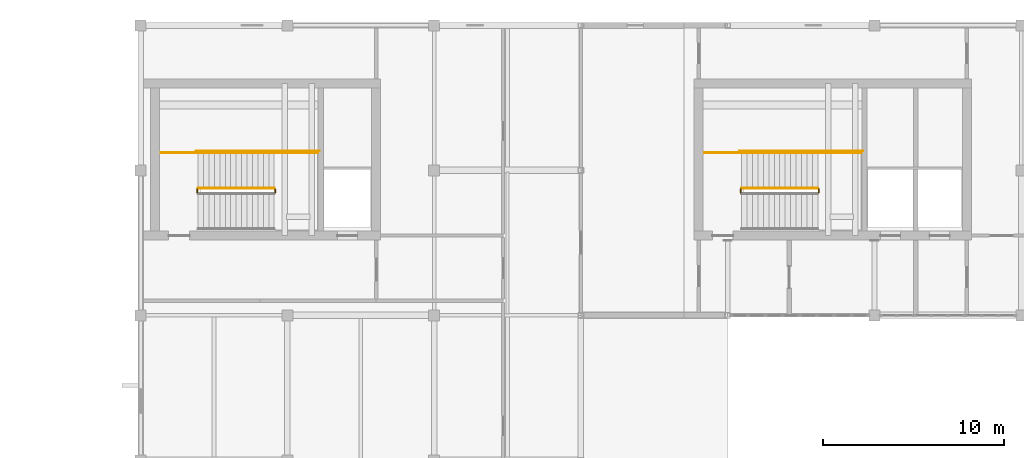
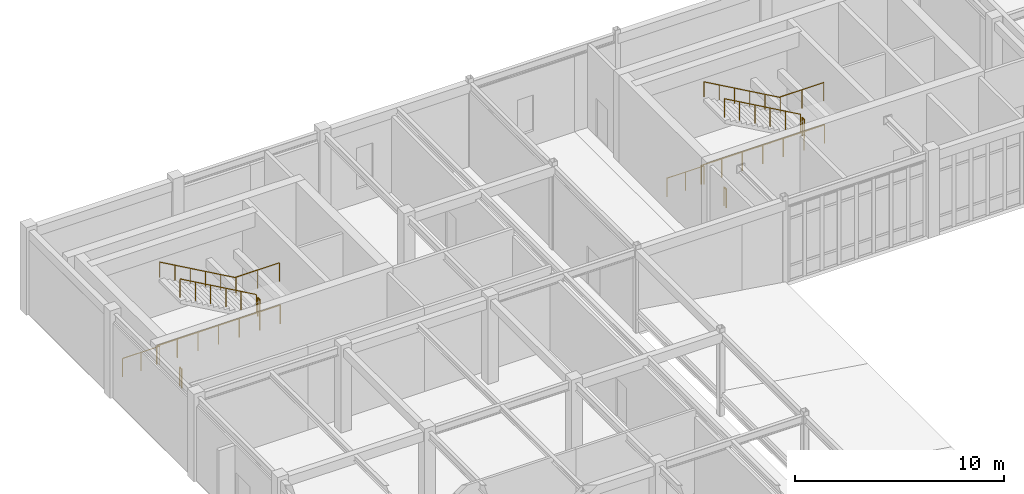
# One storey, part 69 of 70: 14 railings.
"""IFC4 building model written with IfcOpenShell, lengths in metres."""

from ifc_helpers import new_model, si_unit, direction, frame, origin, origin_2d, place, context, subcontext, project, spatial, circle, extrude, material, type_object, element, save


model = new_model("IFC4")

# Units and contexts
model_context = context("Model", 3, precision=1e-05, world=origin(), true_north=direction((0.0, 1.0)))
body_context = subcontext(model_context, "Body", "Model", "MODEL_VIEW")
ifc_project = project(units=[si_unit("LENGTHUNIT", "METRE"), si_unit("AREAUNIT", "SQUARE_METRE"), si_unit("VOLUMEUNIT", "CUBIC_METRE"), si_unit("PLANEANGLEUNIT", "RADIAN"), si_unit("MASSUNIT", "GRAM", prefix="KILO")], contexts=[model_context])

# Site, building, storey
site_placement = place(None, origin())
site = spatial("IfcSite", under=ifc_project, at=site_placement, CompositionType="ELEMENT")
building_placement = place(site_placement, origin())
building = spatial("IfcBuilding", under=site, at=building_placement, Name="Tarnveldt Square Police Headquarters", CompositionType="ELEMENT")
storey_placement = place(building_placement, frame((0.0, 0.0, 19.800048828125)))
storey = spatial("IfcBuildingStorey", under=building, at=storey_placement, Name="L04", CompositionType="ELEMENT", Elevation=19.800048828125)

# Railings
ifc_material = material(Name="Steel 350W", Category="steel")
railing_type_1 = type_object("IfcRailingType", Name="RL-GR-1100", PredefinedType="GUARDRAIL", material=ifc_material)
railing_1_placement = place(storey_placement, frame((23.6201171875, 102.77001953125, 2.550048828125)))
element("IfcRailing", 1, at=railing_1_placement, inside=storey, type_object=railing_type_1, Name="L04 ST2 stair guard 2", PredefinedType="GUARDRAIL", context=body_context, shape_type="SweptSolid", body=[
    extrude(circle(Radius=0.02392578125, at=origin_2d()), frame((0.0, 0.0, 1.076171875), z_axis=(0.0, 1.0, 0.0), x_axis=(-1.0, 0.0, 0.0)), (0.0, 0.0, 1.0), 0.199951171875),
    extrude(circle(Radius=0.02099609375, at=origin_2d()), origin(), (0.0, 0.0, 1.0), 1.052001953125),
    extrude(circle(Radius=0.02099609375, at=origin_2d()), frame((0.0, 0.199951171875, 0.0)), (0.0, 0.0, 1.0), 1.052001953125),
])
railing_2_placement = place(storey_placement, frame((23.570068359375, 104.969970703125, 2.550048828125)))
element("IfcRailing", 2, at=railing_2_placement, inside=storey, type_object=railing_type_1, Name="L04 ST2 stair guard 3", PredefinedType="GUARDRAIL", context=body_context, shape_type="SweptSolid", body=[
    extrude(circle(Radius=0.02392578125, at=origin_2d()), frame((0.0, 0.0, 1.076171875), z_axis=(1.0, 0.0, 0.0), x_axis=(0.0, 1.0, 0.0)), (0.0, 0.0, 1.0), 2.39990234375),
    extrude(circle(Radius=0.02099609375, at=origin_2d()), origin(), (0.0, 0.0, 1.0), 1.052001953125),
    extrude(circle(Radius=0.02099609375, at=origin_2d()), frame((1.199951171875, 0.0, 0.0)), (0.0, 0.0, 1.0), 1.052001953125),
    extrude(circle(Radius=0.02099609375, at=origin_2d()), frame((2.39990234375, 0.0, 0.0)), (0.0, 0.0, 1.0), 1.052001953125),
])
railing_3_placement = place(storey_placement, frame((23.570068359375, 103.02001953125, 2.719970703125)))
element("IfcRailing", 3, at=railing_3_placement, inside=storey, type_object=railing_type_1, Name="L04 ST2 stair guard 4", PredefinedType="GUARDRAIL", context=body_context, shape_type="SweptSolid", body=[
    extrude(circle(Radius=0.02392578125, at=origin_2d()), frame((0.0, 0.0, 1.076171875), z_axis=(-0.870030139814, 0.0, 0.492998535308), x_axis=(0.0, -1.0, 0.0)), (0.0, 0.0, 1.0), 4.827392578125),
    extrude(circle(Radius=0.02099609375, at=origin_2d()), origin(), (0.0, 0.0, 1.0), 1.052001953125),
    extrude(circle(Radius=0.02099609375, at=origin_2d()), frame((-0.840087890625, 0.0, 0.47607421875)), (0.0, 0.0, 1.0), 1.052001953125),
    extrude(circle(Radius=0.02099609375, at=origin_2d()), frame((-1.679931640625, 0.0, 0.951904296875)), (0.0, 0.0, 1.0), 1.052001953125),
    extrude(circle(Radius=0.02099609375, at=origin_2d()), frame((-2.52001953125, 0.0, 1.427978515625)), (0.0, 0.0, 1.0), 1.052001953125),
    extrude(circle(Radius=0.02099609375, at=origin_2d()), frame((-3.35986328125, 0.0, 1.90380859375)), (0.0, 0.0, 1.0), 1.052001953125),
    extrude(circle(Radius=0.02099609375, at=origin_2d()), frame((-4.199951171875, 0.0, 2.3798828125)), (0.0, 0.0, 1.0), 1.052001953125),
])
railing_4_placement = place(storey_placement, frame((19.320068359375, 102.77001953125, 0.0)))
element("IfcRailing", 4, at=railing_4_placement, inside=storey, type_object=railing_type_1, Name="L04 ST2 stair guard 5", PredefinedType="GUARDRAIL", context=body_context, shape_type="SweptSolid", body=[
    extrude(circle(Radius=0.02392578125, at=origin_2d()), frame((0.0, 0.0, 1.076171875), z_axis=(0.0, 1.0, 0.0), x_axis=(-1.0, 0.0, 0.0)), (0.0, 0.0, 1.0), 0.199951171875),
    extrude(circle(Radius=0.02099609375, at=origin_2d()), origin(), (0.0, 0.0, 1.0), 1.052001953125),
    extrude(circle(Radius=0.02099609375, at=origin_2d()), frame((0.0, 0.199951171875, 0.0)), (0.0, 0.0, 1.0), 1.052001953125),
])
railing_5_placement = place(storey_placement, frame((17.320068359375, 104.969970703125, 0.0)))
element("IfcRailing", 5, at=railing_5_placement, inside=storey, type_object=railing_type_1, Name="L04 ST2 stair guard 6", PredefinedType="GUARDRAIL", context=body_context, shape_type="SweptSolid", body=[
    extrude(circle(Radius=0.02392578125, at=origin_2d()), frame((0.0, 0.0, 1.076171875), z_axis=(1.0, 0.0, 0.0), x_axis=(0.0, 1.0, 0.0)), (0.0, 0.0, 1.0), 2.050048828125),
    extrude(circle(Radius=0.02099609375, at=origin_2d()), origin(), (0.0, 0.0, 1.0), 1.052001953125),
    extrude(circle(Radius=0.02099609375, at=origin_2d()), frame((1.02490234375, 0.0, 0.0)), (0.0, 0.0, 1.0), 1.052001953125),
    extrude(circle(Radius=0.02099609375, at=origin_2d()), frame((2.050048828125, 0.0, 0.0)), (0.0, 0.0, 1.0), 1.052001953125),
])
railing_6_placement = place(storey_placement, frame((19.27001953125, 105.070068359375, 0.0)))
element("IfcRailing", 6, at=railing_6_placement, inside=storey, type_object=railing_type_1, Name="L04 ST2 stair guard 7", PredefinedType="GUARDRAIL", context=body_context, shape_type="SweptSolid", body=[
    extrude(circle(Radius=0.02392578125, at=origin_2d()), frame((0.0, 0.0, 1.076171875), z_axis=(1.0, 0.0, 0.0), x_axis=(0.0, 1.0, 0.0)), (0.0, 0.0, 1.0), 6.800048828125),
    extrude(circle(Radius=0.02099609375, at=origin_2d()), origin(), (0.0, 0.0, 1.0), 1.052001953125),
    extrude(circle(Radius=0.02099609375, at=origin_2d()), frame((1.13330078125, 0.0, 0.0)), (0.0, 0.0, 1.0), 1.052001953125),
    extrude(circle(Radius=0.02099609375, at=origin_2d()), frame((2.2666015625, 0.0, 0.0)), (0.0, 0.0, 1.0), 1.052001953125),
    extrude(circle(Radius=0.02099609375, at=origin_2d()), frame((3.39990234375, 0.0, 0.0)), (0.0, 0.0, 1.0), 1.052001953125),
    extrude(circle(Radius=0.02099609375, at=origin_2d()), frame((4.533447265625, 0.0, 0.0)), (0.0, 0.0, 1.0), 1.052001953125),
    extrude(circle(Radius=0.02099609375, at=origin_2d()), frame((5.666748046875, 0.0, 0.0)), (0.0, 0.0, 1.0), 1.052001953125),
    extrude(circle(Radius=0.02099609375, at=origin_2d()), frame((6.800048828125, 0.0, 0.0)), (0.0, 0.0, 1.0), 1.052001953125),
])
railing_7_placement = place(storey_placement, frame((53.6201171875, 102.77001953125, 2.550048828125)))
element("IfcRailing", 7, at=railing_7_placement, inside=storey, type_object=railing_type_1, Name="L04 ST3 stair guard 2", PredefinedType="GUARDRAIL", context=body_context, shape_type="SweptSolid", body=[
    extrude(circle(Radius=0.02392578125, at=origin_2d()), frame((0.0, 0.0, 1.076171875), z_axis=(0.0, 1.0, 0.0), x_axis=(-1.0, 0.0, 0.0)), (0.0, 0.0, 1.0), 0.199951171875),
    extrude(circle(Radius=0.02099609375, at=origin_2d()), origin(), (0.0, 0.0, 1.0), 1.052001953125),
    extrude(circle(Radius=0.02099609375, at=origin_2d()), frame((0.0, 0.199951171875, 0.0)), (0.0, 0.0, 1.0), 1.052001953125),
])
railing_8_placement = place(storey_placement, frame((53.570068359375, 104.969970703125, 2.550048828125)))
element("IfcRailing", 8, at=railing_8_placement, inside=storey, type_object=railing_type_1, Name="L04 ST3 stair guard 3", PredefinedType="GUARDRAIL", context=body_context, shape_type="SweptSolid", body=[
    extrude(circle(Radius=0.02392578125, at=origin_2d()), frame((0.0, 0.0, 1.076171875), z_axis=(1.0, 0.0, 0.0), x_axis=(0.0, 1.0, 0.0)), (0.0, 0.0, 1.0), 2.39990234375),
    extrude(circle(Radius=0.02099609375, at=origin_2d()), origin(), (0.0, 0.0, 1.0), 1.052001953125),
    extrude(circle(Radius=0.02099609375, at=origin_2d()), frame((1.199951171875, 0.0, 0.0)), (0.0, 0.0, 1.0), 1.052001953125),
    extrude(circle(Radius=0.02099609375, at=origin_2d()), frame((2.39990234375, 0.0, 0.0)), (0.0, 0.0, 1.0), 1.052001953125),
])
railing_9_placement = place(storey_placement, frame((53.570068359375, 103.02001953125, 2.719970703125)))
element("IfcRailing", 9, at=railing_9_placement, inside=storey, type_object=railing_type_1, Name="L04 ST3 stair guard 4", PredefinedType="GUARDRAIL", context=body_context, shape_type="SweptSolid", body=[
    extrude(circle(Radius=0.02392578125, at=origin_2d()), frame((0.0, 0.0, 1.076171875), z_axis=(-0.870030139814, 0.0, 0.492998535308), x_axis=(0.0, -1.0, 0.0)), (0.0, 0.0, 1.0), 4.827392578125),
    extrude(circle(Radius=0.02099609375, at=origin_2d()), origin(), (0.0, 0.0, 1.0), 1.052001953125),
    extrude(circle(Radius=0.02099609375, at=origin_2d()), frame((-0.840087890625, 0.0, 0.47607421875)), (0.0, 0.0, 1.0), 1.052001953125),
    extrude(circle(Radius=0.02099609375, at=origin_2d()), frame((-1.679931640625, 0.0, 0.951904296875)), (0.0, 0.0, 1.0), 1.052001953125),
    extrude(circle(Radius=0.02099609375, at=origin_2d()), frame((-2.52001953125, 0.0, 1.427978515625)), (0.0, 0.0, 1.0), 1.052001953125),
    extrude(circle(Radius=0.02099609375, at=origin_2d()), frame((-3.35986328125, 0.0, 1.90380859375)), (0.0, 0.0, 1.0), 1.052001953125),
    extrude(circle(Radius=0.02099609375, at=origin_2d()), frame((-4.199951171875, 0.0, 2.3798828125)), (0.0, 0.0, 1.0), 1.052001953125),
])
railing_10_placement = place(storey_placement, frame((49.320068359375, 102.77001953125, 0.0)))
element("IfcRailing", 10, at=railing_10_placement, inside=storey, type_object=railing_type_1, Name="L04 ST3 stair guard 5", PredefinedType="GUARDRAIL", context=body_context, shape_type="SweptSolid", body=[
    extrude(circle(Radius=0.02392578125, at=origin_2d()), frame((0.0, 0.0, 1.076171875), z_axis=(0.0, 1.0, 0.0), x_axis=(-1.0, 0.0, 0.0)), (0.0, 0.0, 1.0), 0.199951171875),
    extrude(circle(Radius=0.02099609375, at=origin_2d()), origin(), (0.0, 0.0, 1.0), 1.052001953125),
    extrude(circle(Radius=0.02099609375, at=origin_2d()), frame((0.0, 0.199951171875, 0.0)), (0.0, 0.0, 1.0), 1.052001953125),
])
railing_11_placement = place(storey_placement, frame((47.320068359375, 104.969970703125, 0.0)))
element("IfcRailing", 11, at=railing_11_placement, inside=storey, type_object=railing_type_1, Name="L04 ST3 stair guard 6", PredefinedType="GUARDRAIL", context=body_context, shape_type="SweptSolid", body=[
    extrude(circle(Radius=0.02392578125, at=origin_2d()), frame((0.0, 0.0, 1.076171875), z_axis=(1.0, 0.0, 0.0), x_axis=(0.0, 1.0, 0.0)), (0.0, 0.0, 1.0), 2.050048828125),
    extrude(circle(Radius=0.02099609375, at=origin_2d()), origin(), (0.0, 0.0, 1.0), 1.052001953125),
    extrude(circle(Radius=0.02099609375, at=origin_2d()), frame((1.02490234375, 0.0, 0.0)), (0.0, 0.0, 1.0), 1.052001953125),
    extrude(circle(Radius=0.02099609375, at=origin_2d()), frame((2.050048828125, 0.0, 0.0)), (0.0, 0.0, 1.0), 1.052001953125),
])
railing_12_placement = place(storey_placement, frame((49.27001953125, 105.070068359375, 0.0)))
element("IfcRailing", 12, at=railing_12_placement, inside=storey, type_object=railing_type_1, Name="L04 ST3 stair guard 7", PredefinedType="GUARDRAIL", context=body_context, shape_type="SweptSolid", body=[
    extrude(circle(Radius=0.02392578125, at=origin_2d()), frame((0.0, 0.0, 1.076171875), z_axis=(1.0, 0.0, 0.0), x_axis=(0.0, 1.0, 0.0)), (0.0, 0.0, 1.0), 6.800048828125),
    extrude(circle(Radius=0.02099609375, at=origin_2d()), origin(), (0.0, 0.0, 1.0), 1.052001953125),
    extrude(circle(Radius=0.02099609375, at=origin_2d()), frame((1.13330078125, 0.0, 0.0)), (0.0, 0.0, 1.0), 1.052001953125),
    extrude(circle(Radius=0.02099609375, at=origin_2d()), frame((2.2666015625, 0.0, 0.0)), (0.0, 0.0, 1.0), 1.052001953125),
    extrude(circle(Radius=0.02099609375, at=origin_2d()), frame((3.39990234375, 0.0, 0.0)), (0.0, 0.0, 1.0), 1.052001953125),
    extrude(circle(Radius=0.02099609375, at=origin_2d()), frame((4.533447265625, 0.0, 0.0)), (0.0, 0.0, 1.0), 1.052001953125),
    extrude(circle(Radius=0.02099609375, at=origin_2d()), frame((5.666748046875, 0.0, 0.0)), (0.0, 0.0, 1.0), 1.052001953125),
    extrude(circle(Radius=0.02099609375, at=origin_2d()), frame((6.800048828125, 0.0, 0.0)), (0.0, 0.0, 1.0), 1.052001953125),
])
railing_type_2 = type_object("IfcRailingType", Name="RL-HR-900", PredefinedType="HANDRAIL", material=ifc_material)
for number, where, name in (
    (13, (23.570068359375, 104.969970703125, 2.719970703125), "L04 ST2 stair handrail 2"),
    (14, (53.570068359375, 104.969970703125, 2.719970703125), "L04 ST3 stair handrail 2"),
):
    element("IfcRailing", number, at=place(storey_placement, frame(where)), inside=storey, type_object=railing_type_2, Name=name, PredefinedType="HANDRAIL", context=body_context, shape_type="SweptSolid", body=[
        extrude(circle(Radius=0.02392578125, at=origin_2d()), frame((0.0, 0.0, 0.8759765625), z_axis=(-0.870030139814, 0.0, 0.492998535308), x_axis=(0.0, -1.0, 0.0)), (0.0, 0.0, 1.0), 4.827392578125),
        extrude(circle(Radius=0.02099609375, at=origin_2d()), origin(), (0.0, 0.0, 1.0), 0.851806640625),
        extrude(circle(Radius=0.02099609375, at=origin_2d()), frame((-0.840087890625, 0.0, 0.47607421875)), (0.0, 0.0, 1.0), 0.851806640625),
        extrude(circle(Radius=0.02099609375, at=origin_2d()), frame((-1.679931640625, 0.0, 0.951904296875)), (0.0, 0.0, 1.0), 0.851806640625),
        extrude(circle(Radius=0.02099609375, at=origin_2d()), frame((-2.52001953125, 0.0, 1.427978515625)), (0.0, 0.0, 1.0), 0.851806640625),
        extrude(circle(Radius=0.02099609375, at=origin_2d()), frame((-3.35986328125, 0.0, 1.90380859375)), (0.0, 0.0, 1.0), 0.851806640625),
        extrude(circle(Radius=0.02099609375, at=origin_2d()), frame((-4.199951171875, 0.0, 2.3798828125)), (0.0, 0.0, 1.0), 0.851806640625),
    ])

save(model, "model.ifc")
